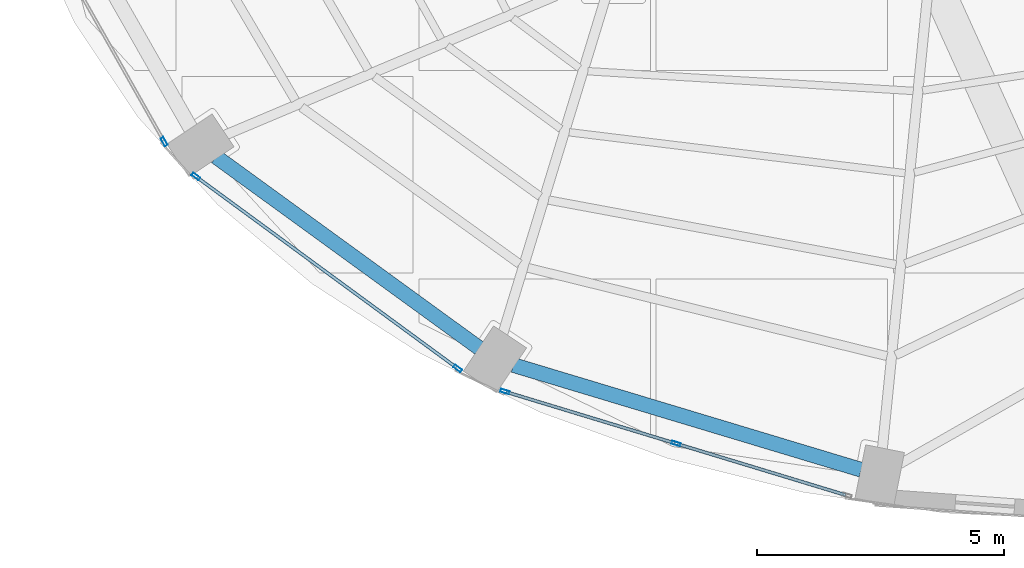
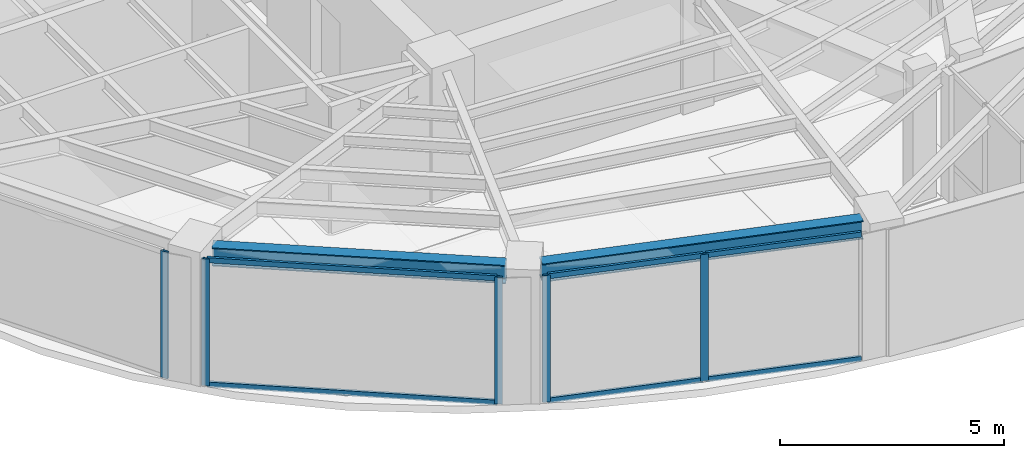
# One storey, part 2 of 23: 11 members, 2 beams, 3 elements without a shape of their own.
"""IFC4 building model written with IfcOpenShell, lengths in metres."""

from ifc_helpers import new_model, si_unit, direction, frame, origin, origin_2d, place, context, subcontext, project, spatial, hollow_rectangle, i_section, extrude, material, layer, layer_set, material_profile, profile_set, type_object, element, aggregate, save


model = new_model("IFC4")

# Units and contexts
model_context = context("Model", 3, precision=1e-05, world=origin(), true_north=direction((0.0, 1.0)))
body_context = subcontext(model_context, "Body", "Model", "MODEL_VIEW")
ifc_project = project(units=[si_unit("LENGTHUNIT", "METRE"), si_unit("AREAUNIT", "SQUARE_METRE"), si_unit("VOLUMEUNIT", "CUBIC_METRE"), si_unit("PLANEANGLEUNIT", "RADIAN"), si_unit("MASSUNIT", "GRAM", prefix="KILO")], contexts=[model_context])

# Site, building, storey
site_placement = place(None, origin())
site = spatial("IfcSite", under=ifc_project, at=site_placement, CompositionType="ELEMENT")
building_placement = place(site_placement, origin())
building = spatial("IfcBuilding", under=site, at=building_placement, Name="Lazwardi Medical Tower", CompositionType="ELEMENT")
storey_placement = place(building_placement, frame((0.0, 0.0, 205.77587890625)))
storey = spatial("IfcBuildingStorey", under=building, at=storey_placement, Name="L53", CompositionType="ELEMENT", Elevation=205.77587890625)

# Beams
ifc_material_1 = material(Name="Steel S355", Category="steel")
ifc_material_profile_1 = material_profile(ifc_material_1, i_section(OverallWidth=0.300048828125, OverallDepth=0.5, WebThickness=0.014404296875, FlangeThickness=0.028076171875, at=origin_2d()), Name="HEB 500")
ifc_profile_set_1 = profile_set([ifc_material_profile_1], Name="Steel S355")
beam_type = type_object("IfcBeamType", Name="BM-RB-Z4", PredefinedType="BEAM", material=ifc_profile_set_1)
beam_1_placement = place(storey_placement, frame((18.355712890625, 16.648193359375, 3.1982421875), z_axis=(0.808889916254, -0.587960120571, 0.0), x_axis=(0.587960120571, 0.808889916254, 0.0)))
element("IfcBeam", 1, at=beam_1_placement, inside=storey, type_object=beam_type, Name="Ring beam RB-05 B14 L53", PredefinedType="BEAM", context=body_context, shape_type="SweptSolid", body=[
    extrude(i_section(OverallWidth=0.300048828125, OverallDepth=0.5, WebThickness=0.014404296875, FlangeThickness=0.028076171875, at=origin_2d()), origin(), (0.0, 0.0, 1.0), 6.587158203125),
])
beam_2_placement = place(storey_placement, frame((24.373046875, 12.43359375, 3.1982421875), z_axis=(0.957544311906, -0.288286126506, 0.0), x_axis=(0.288286126506, 0.957544311906, 0.0)))
element("IfcBeam", 2, at=beam_2_placement, inside=storey, type_object=beam_type, Name="Ring beam RB-05 B15 L53", PredefinedType="BEAM", context=body_context, shape_type="SweptSolid", body=[
    extrude(i_section(OverallWidth=0.300048828125, OverallDepth=0.5, WebThickness=0.014404296875, FlangeThickness=0.028076171875, at=origin_2d()), origin(), (0.0, 0.0, 1.0), 7.3515625),
])

# Curtain wall, member
ifc_material_2 = material(Name="Anodised bronze aluminium and solar control glazing", Category="aluminium")
ifc_layer = layer(ifc_material_2, 0.18994140625)
ifc_layer_set = layer_set([ifc_layer], Name="Anodised bronze aluminium and solar control glazing")
curtain_wall_type = type_object("IfcCurtainWallType", Name="CW-SYS-04", PredefinedType="NOTDEFINED", material=ifc_layer_set)
curtain_wall_1_placement = place(storey_placement, origin())
curtain_wall_1 = element("IfcCurtainWall", 3, at=curtain_wall_1_placement, inside=storey, type_object=curtain_wall_type, Name="L53 Unitised bronze curtain wall CW-04", PredefinedType="NOTDEFINED")
ifc_material_3 = material(Name="Anodised bronze aluminium", Category="aluminium")
ifc_material_profile_2 = material_profile(ifc_material_3, hollow_rectangle(XDim=0.06494140625, YDim=0.179931640625, WallThickness=0.00390625, at=origin_2d()), Name="ALU-MULLION 180x65x4")
ifc_profile_set_2 = profile_set([ifc_material_profile_2], Name="Anodised bronze aluminium")
member_type_1 = type_object("IfcMemberType", Name="CW-MUL-03", PredefinedType="MULLION", material=ifc_profile_set_2)
member_1_placement = place(storey_placement, frame((17.3056640625, 16.95458984375, 0.0), z_axis=(0.0, 0.0, 1.0), x_axis=(0.870651436011, 0.491900474661, 0.0)))
member_1 = element("IfcMember", 4, at=member_1_placement, type_object=member_type_1, Name="CW-04 mullion 2", PredefinedType="MULLION", context=body_context, shape_type="SweptSolid", body=[
    extrude(hollow_rectangle(XDim=0.06494140625, YDim=0.179931640625, WallThickness=0.00390625, at=origin_2d()), origin(), (0.0, 0.0, 1.0), 3.4482421875),
])
aggregate(curtain_wall_1, [member_1])

# Curtain wall, members
curtain_wall_2_placement = place(storey_placement, origin())
curtain_wall_2 = element("IfcCurtainWall", 5, at=curtain_wall_2_placement, inside=storey, type_object=curtain_wall_type, Name="L53 Unitised bronze curtain wall CW-04", PredefinedType="NOTDEFINED")
member_2_placement = place(storey_placement, frame((17.947998046875, 16.248291015625, 0.0), z_axis=(0.0, 0.0, 1.0), x_axis=(0.591268230971, 0.806474971121, 0.0)))
member_2 = element("IfcMember", 6, at=member_2_placement, type_object=member_type_1, Name="CW-04 mullion 1", PredefinedType="MULLION", context=body_context, shape_type="SweptSolid", body=[
    extrude(hollow_rectangle(XDim=0.06494140625, YDim=0.179931640625, WallThickness=0.00390625, at=origin_2d()), origin(), (0.0, 0.0, 1.0), 3.4482421875),
])
member_3_placement = place(storey_placement, frame((23.24462890625, 12.365234375, 0.0), z_axis=(0.0, 0.0, 1.0), x_axis=(0.591268230971, 0.806474971121, 0.0)))
member_3 = element("IfcMember", 7, at=member_3_placement, type_object=member_type_1, Name="CW-04 mullion 2", PredefinedType="MULLION", context=body_context, shape_type="SweptSolid", body=[
    extrude(hollow_rectangle(XDim=0.06494140625, YDim=0.179931640625, WallThickness=0.00390625, at=origin_2d()), origin(), (0.0, 0.0, 1.0), 3.4482421875),
])

curtain_wall_3_placement = place(storey_placement, origin())
curtain_wall_3 = element("IfcCurtainWall", 8, at=curtain_wall_3_placement, inside=storey, type_object=curtain_wall_type, Name="L53 Unitised bronze curtain wall CW-04", PredefinedType="NOTDEFINED")
member_4_placement = place(storey_placement, frame((24.2001953125, 11.896484375, 0.0), z_axis=(0.0, 0.0, 1.0), x_axis=(0.290581889515, 0.956850126972, 0.0)))
member_4 = element("IfcMember", 9, at=member_4_placement, type_object=member_type_1, Name="CW-04 mullion 1", PredefinedType="MULLION", context=body_context, shape_type="SweptSolid", body=[
    extrude(hollow_rectangle(XDim=0.06494140625, YDim=0.179931640625, WallThickness=0.00390625, at=origin_2d()), origin(), (0.0, 0.0, 1.0), 3.4482421875),
])
member_5_placement = place(storey_placement, frame((27.66357421875, 10.8447265625, 0.0), z_axis=(0.0, 0.0, 1.0), x_axis=(0.290581889515, 0.956850126972, 0.0)))
member_5 = element("IfcMember", 10, at=member_5_placement, type_object=member_type_1, Name="CW-04 mullion 2", PredefinedType="MULLION", context=body_context, shape_type="SweptSolid", body=[
    extrude(hollow_rectangle(XDim=0.06494140625, YDim=0.179931640625, WallThickness=0.00390625, at=origin_2d()), origin(), (0.0, 0.0, 1.0), 3.4482421875),
])

# Member
ifc_material_profile_3 = material_profile(ifc_material_3, hollow_rectangle(XDim=0.06494140625, YDim=0.139892578125, WallThickness=0.00341796875, at=origin_2d()), Name="ALU-TRANSOM 140x65x3.5")
ifc_profile_set_3 = profile_set([ifc_material_profile_3], Name="Anodised bronze aluminium")
member_type_2 = type_object("IfcMemberType", Name="CW-TRN-03", PredefinedType="USERDEFINED", material=ifc_profile_set_3)
member_6_placement = place(storey_placement, frame((17.97412109375, 16.229248046875, 0.03271484375), z_axis=(0.806471831148, -0.591272513791, 0.0), x_axis=(0.591272513791, 0.806471831148, 0.0)))
member_6 = element("IfcMember", 11, at=member_6_placement, type_object=member_type_2, Name="CW-04 transom 1.1", ObjectType="TRANSOM", PredefinedType="USERDEFINED", context=body_context, shape_type="SweptSolid", body=[
    extrude(hollow_rectangle(XDim=0.06494140625, YDim=0.139892578125, WallThickness=0.00341796875, at=origin_2d()), origin(), (0.0, 0.0, 1.0), 6.5029296875),
])

member_7_placement = place(storey_placement, frame((17.97412109375, 16.229248046875, 3.41552734375), z_axis=(0.806471831148, -0.591272513791, 0.0), x_axis=(0.591272513791, 0.806471831148, 0.0)))
member_7 = element("IfcMember", 12, at=member_7_placement, type_object=member_type_2, Name="CW-04 transom 1.2", ObjectType="TRANSOM", PredefinedType="USERDEFINED", context=body_context, shape_type="SweptSolid", body=[
    extrude(hollow_rectangle(XDim=0.06494140625, YDim=0.139892578125, WallThickness=0.00341796875, at=origin_2d()), origin(), (0.0, 0.0, 1.0), 6.5029296875),
])

aggregate(curtain_wall_2, [member_2, member_3, member_6, member_7])

member_8_placement = place(storey_placement, frame((24.2314453125, 11.886962890625, 0.03271484375), z_axis=(0.956862505902, -0.290541124109, 0.0), x_axis=(0.290541124109, 0.956862505902, 0.0)))
member_8 = element("IfcMember", 13, at=member_8_placement, type_object=member_type_2, Name="CW-04 transom 1.1", ObjectType="TRANSOM", PredefinedType="USERDEFINED", context=body_context, shape_type="SweptSolid", body=[
    extrude(hollow_rectangle(XDim=0.06494140625, YDim=0.139892578125, WallThickness=0.00341796875, at=origin_2d()), origin(), (0.0, 0.0, 1.0), 3.554443359375),
])

member_9_placement = place(storey_placement, frame((24.2314453125, 11.886962890625, 3.41552734375), z_axis=(0.956862505902, -0.290541124109, 0.0), x_axis=(0.290541124109, 0.956862505902, 0.0)))
member_9 = element("IfcMember", 14, at=member_9_placement, type_object=member_type_2, Name="CW-04 transom 1.2", ObjectType="TRANSOM", PredefinedType="USERDEFINED", context=body_context, shape_type="SweptSolid", body=[
    extrude(hollow_rectangle(XDim=0.06494140625, YDim=0.139892578125, WallThickness=0.00341796875, at=origin_2d()), origin(), (0.0, 0.0, 1.0), 3.554443359375),
])

member_10_placement = place(storey_placement, frame((27.694580078125, 10.835205078125, 0.03271484375), z_axis=(0.956862505902, -0.290541124109, 0.0), x_axis=(0.290541124109, 0.956862505902, 0.0)))
member_10 = element("IfcMember", 15, at=member_10_placement, type_object=member_type_2, Name="CW-04 transom 2.1", ObjectType="TRANSOM", PredefinedType="USERDEFINED", context=body_context, shape_type="SweptSolid", body=[
    extrude(hollow_rectangle(XDim=0.06494140625, YDim=0.139892578125, WallThickness=0.00341796875, at=origin_2d()), origin(), (0.0, 0.0, 1.0), 3.554443359375),
])

member_11_placement = place(storey_placement, frame((27.694580078125, 10.835205078125, 3.41552734375), z_axis=(0.956862505902, -0.290541124109, 0.0), x_axis=(0.290541124109, 0.956862505902, 0.0)))
member_11 = element("IfcMember", 16, at=member_11_placement, type_object=member_type_2, Name="CW-04 transom 2.2", ObjectType="TRANSOM", PredefinedType="USERDEFINED", context=body_context, shape_type="SweptSolid", body=[
    extrude(hollow_rectangle(XDim=0.06494140625, YDim=0.139892578125, WallThickness=0.00341796875, at=origin_2d()), origin(), (0.0, 0.0, 1.0), 3.554443359375),
])

aggregate(curtain_wall_3, [member_4, member_5, member_8, member_9, member_10, member_11])

save(model, "model.ifc")
